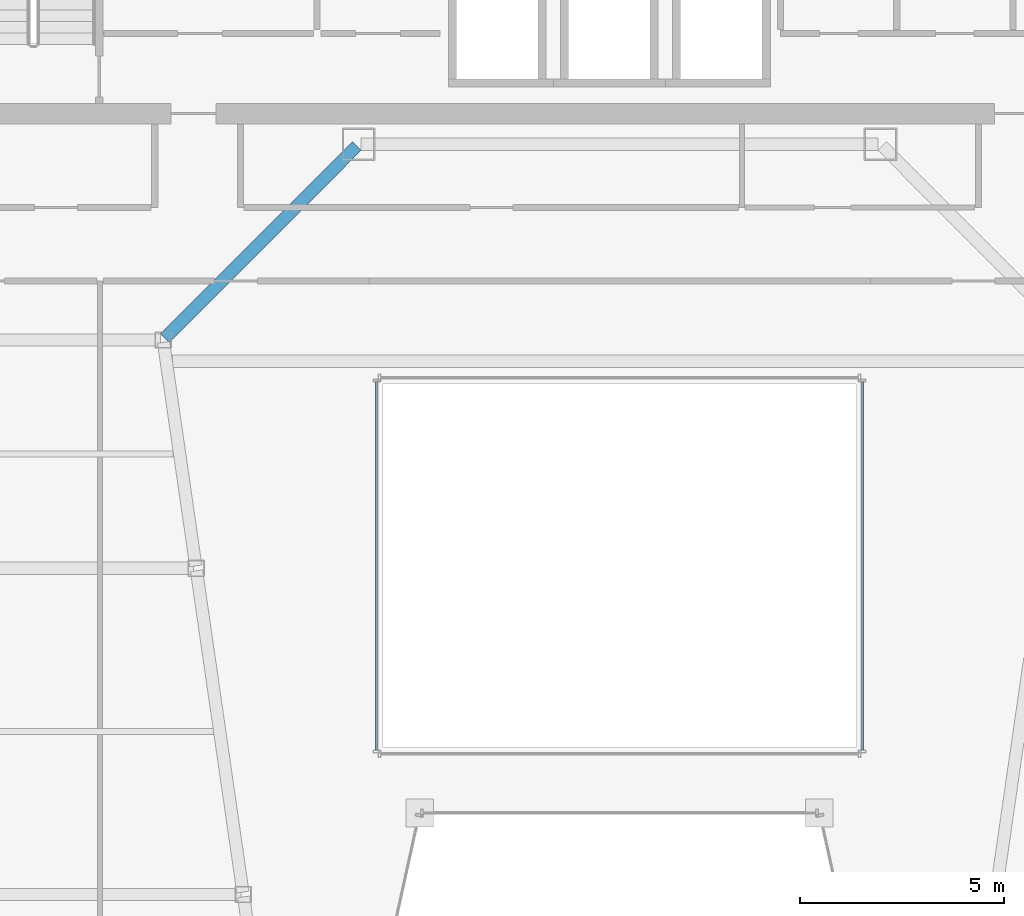
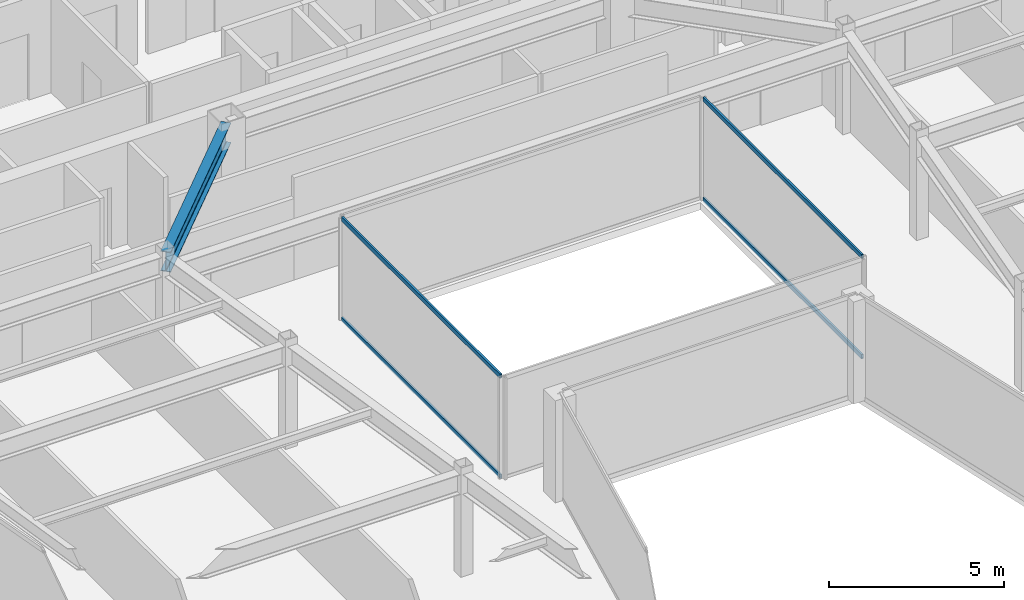
# One storey, part 12 of 36: 4 members, 1 beam, 2 elements without a shape of their own.
"""IFC4 building model written with IfcOpenShell, lengths in metres."""

from ifc_helpers import new_model, si_unit, direction, frame, origin, origin_2d, place, context, subcontext, project, spatial, hollow_rectangle, i_section, extrude, material, material_profile, profile_set, type_object, element, aggregate, save


model = new_model("IFC4")

# Units and contexts
model_context = context("Model", 3, precision=1e-05, world=origin(), true_north=direction((0.0, 1.0)))
body_context = subcontext(model_context, "Body", "Model", "MODEL_VIEW")
ifc_project = project(units=[si_unit("LENGTHUNIT", "METRE"), si_unit("AREAUNIT", "SQUARE_METRE"), si_unit("VOLUMEUNIT", "CUBIC_METRE"), si_unit("PLANEANGLEUNIT", "RADIAN"), si_unit("MASSUNIT", "GRAM", prefix="KILO")], contexts=[model_context])

# Site, building, storey
site_placement = place(None, origin())
site = spatial("IfcSite", under=ifc_project, at=site_placement, CompositionType="ELEMENT")
building_placement = place(site_placement, origin())
building = spatial("IfcBuilding", under=site, at=building_placement, Name="Saevonmaru Cultural Tower", CompositionType="ELEMENT")
storey_placement = place(building_placement, frame((0.0, 0.0, 205.60009765625)))
storey = spatial("IfcBuildingStorey", under=building, at=storey_placement, Name="L47", CompositionType="ELEMENT", Elevation=205.60009765625)

# Beam
ifc_material_1 = material(Name="Steel SM355", Category="steel")
ifc_material_profile_1 = material_profile(ifc_material_1, i_section(OverallWidth=0.300048828125, OverallDepth=0.699951171875, WebThickness=0.012939453125, FlangeThickness=0.02392578125, FilletRadius=0.02587890625, at=origin_2d()), Name="H-700x300x13x24")
ifc_profile_set_1 = profile_set([ifc_material_profile_1], Name="Steel SM355")
beam_type = type_object("IfcBeamType", Name="BM-G-H700", PredefinedType="BEAM", material=ifc_profile_set_1)
beam_placement = place(storey_placement, frame((18.850341796875, 37.642578125, 3.199951171875), z_axis=(0.706538566564, 0.707674539572, 0.0), x_axis=(-0.707674539572, 0.706538566564, 0.0)))
element("IfcBeam", 1, at=beam_placement, inside=storey, type_object=beam_type, Name="L47 West Atrium Girder 4", PredefinedType="BEAM", context=body_context, shape_type="SweptSolid", body=[
    extrude(i_section(OverallWidth=0.300048828125, OverallDepth=0.699951171875, WebThickness=0.012939453125, FlangeThickness=0.02392578125, FilletRadius=0.02587890625, at=origin_2d()), origin(), (0.0, 0.0, 1.0), 6.662353515625),
])

# Curtain wall, members
ifc_material_2 = material(Name="Satin Bronze Anodised Aluminium", Category="aluminium")
curtain_wall_type = type_object("IfcCurtainWallType", Name="CW-ATR-GLZ", PredefinedType="NOTDEFINED", material=ifc_material_2)
curtain_wall_1_placement = place(storey_placement, origin())
curtain_wall_1 = element("IfcCurtainWall", 2, at=curtain_wall_1_placement, inside=storey, type_object=curtain_wall_type, Name="L47 Vertical Atrium Glazed Smoke Screen 2", PredefinedType="NOTDEFINED")
ifc_material_profile_2 = material_profile(ifc_material_2, hollow_rectangle(XDim=0.06494140625, YDim=0.14990234375, WallThickness=0.00390625, at=origin_2d()), Name="ALU-TRAN-150x65x4")
ifc_profile_set_2 = profile_set([ifc_material_profile_2], Name="Satin Bronze Anodised Aluminium")
member_type = type_object("IfcMemberType", Name="TR-CW-INT-150x65", PredefinedType="USERDEFINED", material=ifc_profile_set_2)
member_1_placement = place(storey_placement, frame((35.949951171875, 27.54248046875, 0.032470703125), z_axis=(0.0, 1.0, 0.0), x_axis=(-1.0, 0.0, 0.0)))
member_1 = element("IfcMember", 3, at=member_1_placement, type_object=member_type, Name="CW-ATR-L47-2 transom 1.1", ObjectType="TRANSOM", PredefinedType="USERDEFINED", context=body_context, shape_type="SweptSolid", body=[
    extrude(hollow_rectangle(XDim=0.06494140625, YDim=0.14990234375, WallThickness=0.00390625, at=origin_2d()), origin(), (0.0, 0.0, 1.0), 9.034912109375),
])
member_2_placement = place(storey_placement, frame((35.949951171875, 27.54248046875, 3.517333984375), z_axis=(0.0, 1.0, 0.0), x_axis=(-1.0, 0.0, 0.0)))
member_2 = element("IfcMember", 4, at=member_2_placement, type_object=member_type, Name="CW-ATR-L47-2 transom 1.2", ObjectType="TRANSOM", PredefinedType="USERDEFINED", context=body_context, shape_type="SweptSolid", body=[
    extrude(hollow_rectangle(XDim=0.06494140625, YDim=0.14990234375, WallThickness=0.00390625, at=origin_2d()), origin(), (0.0, 0.0, 1.0), 9.034912109375),
])
aggregate(curtain_wall_1, [member_1, member_2])

curtain_wall_2_placement = place(storey_placement, origin())
curtain_wall_2 = element("IfcCurtainWall", 5, at=curtain_wall_2_placement, inside=storey, type_object=curtain_wall_type, Name="L47 Vertical Atrium Glazed Smoke Screen 4", PredefinedType="NOTDEFINED")
member_3_placement = place(storey_placement, frame((24.050048828125, 36.577392578125, 0.032470703125), z_axis=(0.0, -1.0, 0.0), x_axis=(1.0, 0.0, 0.0)))
member_3 = element("IfcMember", 6, at=member_3_placement, type_object=member_type, Name="CW-ATR-L47-4 transom 1.1", ObjectType="TRANSOM", PredefinedType="USERDEFINED", context=body_context, shape_type="SweptSolid", body=[
    extrude(hollow_rectangle(XDim=0.06494140625, YDim=0.14990234375, WallThickness=0.00390625, at=origin_2d()), origin(), (0.0, 0.0, 1.0), 9.034912109375),
])
member_4_placement = place(storey_placement, frame((24.050048828125, 36.577392578125, 3.517333984375), z_axis=(0.0, -1.0, 0.0), x_axis=(1.0, 0.0, 0.0)))
member_4 = element("IfcMember", 7, at=member_4_placement, type_object=member_type, Name="CW-ATR-L47-4 transom 1.2", ObjectType="TRANSOM", PredefinedType="USERDEFINED", context=body_context, shape_type="SweptSolid", body=[
    extrude(hollow_rectangle(XDim=0.06494140625, YDim=0.14990234375, WallThickness=0.00390625, at=origin_2d()), origin(), (0.0, 0.0, 1.0), 9.034912109375),
])
aggregate(curtain_wall_2, [member_3, member_4])

save(model, "model.ifc")
